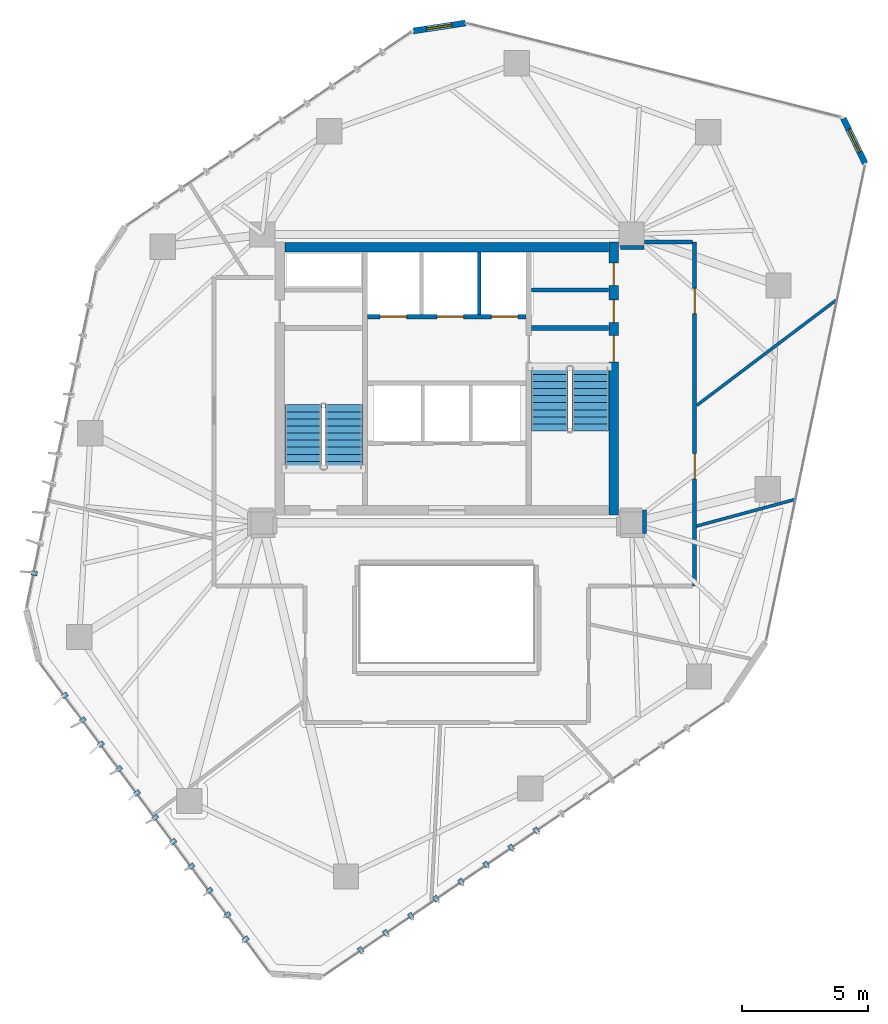
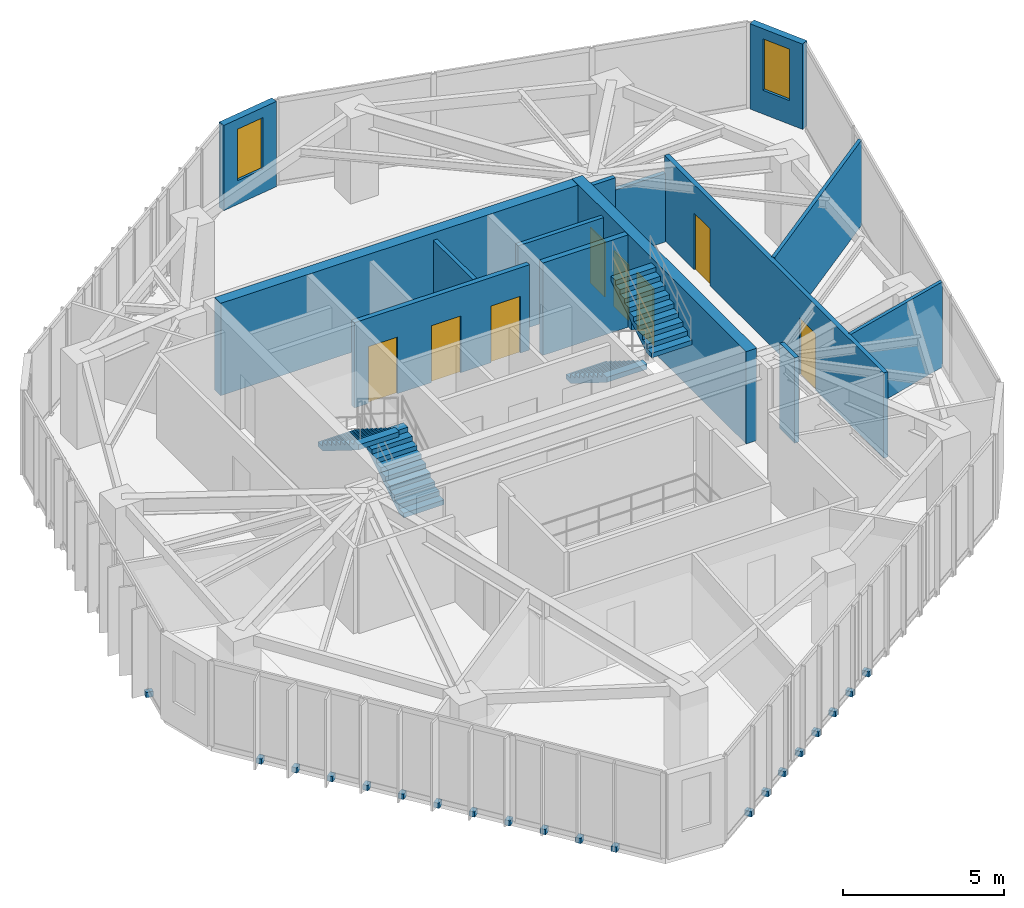
# One storey, part 17 of 20: 20 discrete accessories, 14 walls, 8 doors, 4 stair flights, 2 windows, 10 openings, 2 elements without a shape of their own.
"""IFC4 building model written with IfcOpenShell, lengths in metres."""

from ifc_helpers import new_model, si_unit, direction, frame, frame_2d, origin, origin_2d, place, context, subcontext, project, spatial, polyline, rectangle, outline, extrude, source, transform, mapped, material, layer, layer_set, type_object, type_shapes, element, fill, aggregate, save


model = new_model("IFC4")

# Units and contexts
model_context = context("Model", 3, precision=1e-05, world=origin(), true_north=direction((0.0, 1.0)))
body_context = subcontext(model_context, "Body", "Model", "MODEL_VIEW")
ifc_project = project(units=[si_unit("LENGTHUNIT", "METRE"), si_unit("AREAUNIT", "SQUARE_METRE"), si_unit("VOLUMEUNIT", "CUBIC_METRE"), si_unit("PLANEANGLEUNIT", "RADIAN"), si_unit("MASSUNIT", "GRAM", prefix="KILO")], contexts=[model_context])

# Site, building, storey
site_placement = place(None, origin())
site = spatial("IfcSite", under=ifc_project, at=site_placement, CompositionType="ELEMENT")
building_placement = place(site_placement, origin())
building = spatial("IfcBuilding", under=site, at=building_placement, Name="Talar Marvaseh", CompositionType="ELEMENT")
storey_placement = place(building_placement, frame((0.0, 0.0, 191.5)))
storey = spatial("IfcBuildingStorey", under=building, at=storey_placement, Name="L50", CompositionType="ELEMENT", Elevation=191.5)

# Wall, opening, window
ifc_material_1 = material(Name="Precast concrete C45/55", Category="concrete")
ifc_layer_1 = layer(ifc_material_1, 0.239990234375)
ifc_layer_set_1 = layer_set([ifc_layer_1], Name="Precast concrete C45/55")
wall_type_1 = type_object("IfcWallType", Name="Chamfered Hexagonal Corner Pier Wall Z3 240", PredefinedType="SOLIDWALL", material=ifc_layer_set_1)
wall_1_placement = place(storey_placement, frame((24.67431640625, 44.948974609375, 0.0), z_axis=(0.0, 0.0, 1.0), x_axis=(0.988704482243, 0.149878106449, 0.0)))
wall_1 = element("IfcWall", 1, at=wall_1_placement, inside=storey, type_object=wall_type_1, Name="L50 Chamfered Corner Limestone Pier 4", PredefinedType="SOLIDWALL", context=body_context, shape_type="SweptSolid", body=[
    extrude(rectangle(XDim=2.08837890625, YDim=0.239990234375, at=frame_2d((1.044189453125, 0.0))), origin(), (0.0, 0.0, 1.0), 3.22998046875),
])
opening_1_placement = place(wall_1_placement, frame((0.5439453125, 0.0, 0.89990234375)))
opening_1 = element("IfcOpeningElement", 2, at=opening_1_placement, cuts=wall_1, Name="Opening WN-CHM10", PredefinedType="OPENING", context=body_context, shape_type="SweptSolid", body=[
    extrude(rectangle(XDim=1.0, YDim=1.949951171875, at=frame_2d((0.5, 0.97509765625))), frame((0.0, 0.1298828125, 0.0), z_axis=(0.0, -1.0, 0.0), x_axis=(1.0, 0.0, 0.0)), (0.0, 0.0, 1.0), 0.260009765625),
])
ifc_material_2 = material(Name="Laminated Low-E Solar Glass", Category="glass")
window_type = type_object("IfcWindowType", Name="Zone 3 Chamfered Corner Slot Window 1000x1950", PartitioningType="SINGLE_PANEL", PredefinedType="WINDOW", material=ifc_material_2)
shared_shape_1 = source(origin(), body_context, "Body", "SweptSolid", [
    extrude(rectangle(XDim=1.0, YDim=1.949951171875, at=frame_2d((0.5, 0.97509765625))), frame((0.0, 0.030029296875, 0.0), z_axis=(0.0, -1.0, 0.0), x_axis=(1.0, 0.0, 0.0)), (0.0, 0.0, 1.0), 0.06005859375),
])
type_shapes(window_type, [shared_shape_1])
window_1_placement = place(opening_1_placement, origin())
window_1 = element("IfcWindow", 3, at=window_1_placement, inside=storey, type_object=window_type, Name="L50 Chamfered Corner Slot Window", OverallHeight=1.949951171875, OverallWidth=1.0, PartitioningType="SINGLE_PANEL", PredefinedType="WINDOW", context=body_context, shape_type="MappedRepresentation", body=[
    mapped(shared_shape_1, transform((0.0, 0.0, 0.0), x_axis=(1.0, 0.0, 0.0), y_axis=(0.0, 1.0, 0.0), z_axis=(0.0, 0.0, 1.0), scale=1.0)),
])
fill(opening_1, window_1)

wall_2_placement = place(storey_placement, frame((41.67919921875, 41.492919921875, 0.0), z_axis=(0.0, 0.0, 1.0), x_axis=(0.435670638997, -0.900106157248, 0.0)))
wall_2 = element("IfcWall", 4, at=wall_2_placement, inside=storey, type_object=wall_type_1, Name="L50 Chamfered Corner Limestone Pier 5", PredefinedType="SOLIDWALL", context=body_context, shape_type="SweptSolid", body=[
    extrude(rectangle(XDim=1.9775390625, YDim=0.239990234375, at=frame_2d((0.98876953125, 0.0))), origin(), (0.0, 0.0, 1.0), 3.22998046875),
])
opening_2_placement = place(wall_2_placement, frame((0.489013671875, 0.0, 0.89990234375)))
opening_2 = element("IfcOpeningElement", 5, at=opening_2_placement, cuts=wall_2, Name="Opening WN-CHM10", PredefinedType="OPENING", context=body_context, shape_type="SweptSolid", body=[
    extrude(rectangle(XDim=1.0, YDim=1.949951171875, at=frame_2d((0.5, 0.97509765625))), frame((0.0, 0.1298828125, 0.0), z_axis=(0.0, -1.0, 0.0), x_axis=(1.0, 0.0, 0.0)), (0.0, 0.0, 1.0), 0.260009765625),
])
window_2_placement = place(opening_2_placement, origin())
window_2 = element("IfcWindow", 6, at=window_2_placement, inside=storey, type_object=window_type, Name="L50 Chamfered Corner Slot Window", OverallHeight=1.949951171875, OverallWidth=1.0, PartitioningType="SINGLE_PANEL", PredefinedType="WINDOW", context=body_context, shape_type="MappedRepresentation", body=[
    mapped(shared_shape_1, transform((0.0, 0.0, 0.0), x_axis=(1.0, 0.0, 0.0), y_axis=(0.0, 1.0, 0.0), z_axis=(0.0, 0.0, 1.0), scale=1.0)),
])
fill(opening_2, window_2)

# Wall
ifc_material_3 = material(Name="Gypsum Board Partition Assembly")
ifc_layer_2 = layer(ifc_material_3, 0.155029296875)
ifc_layer_set_2 = layer_set([ifc_layer_2], Name="Gypsum Board Partition Assembly")
wall_type_2 = type_object("IfcWallType", Name="Corridor Fire-Rated Acoustic Partition 155", PredefinedType="PARTITIONING", material=ifc_layer_set_2)
wall_3_placement = place(storey_placement, frame((29.340087890625, 34.699951171875, 0.0), z_axis=(0.0, 0.0, 1.0), x_axis=(1.0, 0.0, 0.0)))
element("IfcWall", 7, at=wall_3_placement, inside=storey, type_object=wall_type_2, Name="L50 Core BOH Partition", PredefinedType="PARTITIONING", context=body_context, shape_type="SweptSolid", body=[
    extrude(rectangle(XDim=3.059814453125, YDim=0.155029296875, at=frame_2d((1.52978515625, 0.0))), origin(), (0.0, 0.0, 1.0), 3.22998046875),
])

# Wall, openings, doors
wall_4_placement = place(storey_placement, frame((35.800048828125, 36.60009765625, 0.0), z_axis=(0.0, 0.0, 1.0), x_axis=(0.0, -1.0, 0.0)))
wall_4 = element("IfcWall", 8, at=wall_4_placement, inside=storey, type_object=wall_type_2, Name="L50 Interior Partition Wall", PredefinedType="PARTITIONING", context=body_context, shape_type="SweptSolid", body=[
    extrude(rectangle(XDim=13.60009765625, YDim=0.155029296875, at=frame_2d((6.800048828125, 0.0))), origin(), (0.0, 0.0, 1.0), 3.22998046875),
])
opening_3_placement = place(wall_4_placement, frame((8.36376953125, 0.0, 0.0)))
opening_3 = element("IfcOpeningElement", 9, at=opening_3_placement, cuts=wall_4, Name="Opening DR-RM100", PredefinedType="OPENING", context=body_context, shape_type="SweptSolid", body=[
    extrude(rectangle(XDim=1.0, YDim=2.14990234375, at=frame_2d((0.5, 1.074951171875))), frame((0.0, 0.08740234375, 0.0), z_axis=(0.0, -1.0, 0.0), x_axis=(1.0, 0.0, 0.0)), (0.0, 0.0, 1.0), 0.175048828125),
])
opening_4_placement = place(wall_4_placement, frame((1.829345703125, 0.0, 0.0)))
opening_4 = element("IfcOpeningElement", 10, at=opening_4_placement, cuts=wall_4, Name="Opening DR-RM100", PredefinedType="OPENING", context=body_context, shape_type="SweptSolid", body=[
    extrude(rectangle(XDim=1.0, YDim=2.14990234375, at=frame_2d((0.5, 1.074951171875))), frame((0.0, 0.08740234375, 0.0), z_axis=(0.0, -1.0, 0.0), x_axis=(1.0, 0.0, 0.0)), (0.0, 0.0, 1.0), 0.175048828125),
])
ifc_material_4 = material(Name="Acoustic Engineered Oak Timber", Category="wood")
door_type_1 = type_object("IfcDoorType", Name="Corridor Fire-Rated Gallery Door 1000x2150", OperationType="NOTDEFINED", PredefinedType="DOOR", material=ifc_material_4)
shared_shape_2 = source(origin(), body_context, "Body", "SweptSolid", [
    extrude(rectangle(XDim=1.0, YDim=2.14990234375, at=frame_2d((0.5, 1.074951171875))), frame((0.0, 0.02490234375, 0.0), z_axis=(0.0, -1.0, 0.0), x_axis=(1.0, 0.0, 0.0)), (0.0, 0.0, 1.0), 0.050048828125),
])
type_shapes(door_type_1, [shared_shape_2])
door_1_placement = place(opening_3_placement, origin())
door_1 = element("IfcDoor", 11, at=door_1_placement, inside=storey, type_object=door_type_1, Name="L50 Registrar Mail and Post Room Door", OperationType="SINGLE_SWING_RIGHT", OverallHeight=2.14990234375, OverallWidth=1.0, PredefinedType="DOOR", context=body_context, shape_type="MappedRepresentation", body=[
    mapped(shared_shape_2, transform((0.0, 0.0, 0.0), x_axis=(1.0, 0.0, 0.0), y_axis=(0.0, 1.0, 0.0), z_axis=(0.0, 0.0, 1.0), scale=1.0)),
])
fill(opening_3, door_1)
door_2_placement = place(opening_4_placement, origin())
door_2 = element("IfcDoor", 12, at=door_2_placement, inside=storey, type_object=door_type_1, Name="L50 Conservation Briefing Room Door", OperationType="SINGLE_SWING_LEFT", OverallHeight=2.14990234375, OverallWidth=1.0, PredefinedType="DOOR", context=body_context, shape_type="MappedRepresentation", body=[
    mapped(shared_shape_2, transform((0.0, 0.0, 0.0), x_axis=(1.0, 0.0, 0.0), y_axis=(0.0, 1.0, 0.0), z_axis=(0.0, 0.0, 1.0), scale=1.0)),
])
fill(opening_4, door_2)

# Walls
wall_5_placement = place(storey_placement, frame((33.814697265625, 25.08349609375, 0.0), z_axis=(0.0, 0.0, 1.0), x_axis=(-0.004477173984, 0.999989977406, 0.0)))
element("IfcWall", 13, at=wall_5_placement, inside=storey, type_object=wall_type_2, Name="L50 Interior Partition Wall", PredefinedType="PARTITIONING", context=body_context, shape_type="SweptSolid", body=[
    extrude(rectangle(XDim=0.927001953125, YDim=0.155029296875, at=frame_2d((0.46337890625, 0.0))), origin(), (0.0, 0.0, 1.0), 3.22998046875),
])
wall_6_placement = place(storey_placement, frame((32.8701171875, 36.385009765625, 0.0), z_axis=(0.0, 0.0, 1.0), x_axis=(0.999999965754, 0.000261711585, 0.0)))
element("IfcWall", 14, at=wall_6_placement, inside=storey, type_object=wall_type_2, Name="L50 Interior Partition Wall", PredefinedType="PARTITIONING", context=body_context, shape_type="SweptSolid", body=[
    extrude(rectangle(XDim=0.932861328125, YDim=0.155029296875, at=frame_2d((0.46630859375, 0.0))), origin(), (0.0, 0.0, 1.0), 3.22998046875),
])
wall_7_placement = place(storey_placement, frame((33.81494140625, 36.60009765625, 0.0), z_axis=(0.0, 0.0, 1.0), x_axis=(1.0, 0.0, 0.0)))
element("IfcWall", 15, at=wall_7_placement, inside=storey, type_object=wall_type_2, Name="L50 Interior Partition Wall", PredefinedType="PARTITIONING", context=body_context, shape_type="SweptSolid", body=[
    extrude(rectangle(XDim=1.901611328125, YDim=0.155029296875, at=frame_2d((0.95068359375, 0.0))), origin(), (0.0, 0.0, 1.0), 2.589111328125),
])
ifc_layer_3 = layer(ifc_material_3, 0.1201171875)
ifc_layer_set_3 = layer_set([ifc_layer_3], Name="Gypsum Board Partition Assembly")
wall_type_3 = type_object("IfcWallType", Name="Demountable Studio Room Partition 120", PredefinedType="PARTITIONING", material=ifc_layer_set_3)
wall_8_placement = place(storey_placement, frame((35.86279296875, 25.366943359375, 0.0), z_axis=(0.0, 0.0, 1.0), x_axis=(0.965286044278, 0.261195047275, 0.0)))
element("IfcWall", 16, at=wall_8_placement, inside=storey, type_object=wall_type_3, Name="L50 Interior Partition Wall", PredefinedType="PARTITIONING", context=body_context, shape_type="SweptSolid", body=[
    extrude(rectangle(XDim=4.041748046875, YDim=0.1201171875, at=frame_2d((2.02099609375, 0.0))), origin(), (0.0, 0.0, 1.0), 3.22998046875),
])
wall_9_placement = place(storey_placement, frame((35.883544921875, 30.14306640625, 0.0), z_axis=(0.0, 0.0, 1.0), x_axis=(0.798034107904, 0.602612282169, 0.0)))
element("IfcWall", 17, at=wall_9_placement, inside=storey, type_object=wall_type_3, Name="L50 Interior Partition Wall", PredefinedType="PARTITIONING", context=body_context, shape_type="SweptSolid", body=[
    extrude(rectangle(XDim=6.929931640625, YDim=0.1201171875, at=frame_2d((3.46484375, 0.0))), origin(), (0.0, 0.0, 1.0), 3.22998046875),
])
ifc_layer_4 = layer(ifc_material_1, 0.14501953125)
ifc_layer_set_4 = layer_set([ifc_layer_4], Name="Precast concrete C45/55")
wall_type_4 = type_object("IfcWallType", Name="Fire-Rated Lift Divider Wall 145", PredefinedType="SOLIDWALL", material=ifc_layer_set_4)
wall_10_placement = place(storey_placement, frame((27.280029296875, 33.743408203125, 0.0), z_axis=(0.0, 0.0, 1.0), x_axis=(0.0, 1.0, 0.0)))
element("IfcWall", 18, at=wall_10_placement, inside=storey, type_object=wall_type_4, Name="L50 FFL-2/SVL-1 Divider", PredefinedType="SOLIDWALL", context=body_context, shape_type="SweptSolid", body=[
    extrude(rectangle(XDim=2.45654296875, YDim=0.14501953125, at=frame_2d((1.228271484375, 0.0))), origin(), (0.0, 0.0, 1.0), 3.22998046875),
])

# Wall, openings, doors
ifc_layer_5 = layer(ifc_material_1, 0.175048828125)
ifc_layer_set_5 = layer_set([ifc_layer_5], Name="Precast concrete C45/55")
wall_type_5 = type_object("IfcWallType", Name="Fire-Rated Lift Hoistway Enclosure Wall 175", PredefinedType="SOLIDWALL", material=ifc_layer_set_5)
wall_11_placement = place(storey_placement, frame((22.860107421875, 33.64990234375, 0.0), z_axis=(0.0, 0.0, 1.0), x_axis=(1.0, 0.0, 0.0)))
wall_11 = element("IfcWall", 19, at=wall_11_placement, inside=storey, type_object=wall_type_5, Name="L50 Firefighting and Service Lift Front Wall", PredefinedType="SOLIDWALL", context=body_context, shape_type="SweptSolid", body=[
    extrude(rectangle(XDim=6.27978515625, YDim=0.175048828125, at=frame_2d((3.139892578125, 0.0))), origin(), (0.0, 0.0, 1.0), 3.22998046875),
])
opening_5_placement = place(wall_11_placement, frame((0.5, 0.0, 0.0)))
opening_5 = element("IfcOpeningElement", 20, at=opening_5_placement, cuts=wall_11, Name="Opening LD-FF1", PredefinedType="OPENING", context=body_context, shape_type="SweptSolid", body=[
    extrude(rectangle(XDim=1.050048828125, YDim=2.14990234375, at=frame_2d((0.52490234375, 1.074951171875))), frame((0.0, 0.09765625, 0.0), z_axis=(0.0, -1.0, 0.0), x_axis=(1.0, 0.0, 0.0)), (0.0, 0.0, 1.0), 0.195068359375),
])
opening_6_placement = place(wall_11_placement, frame((2.760009765625, 0.0, 0.0)))
opening_6 = element("IfcOpeningElement", 21, at=opening_6_placement, cuts=wall_11, Name="Opening LD-FF2", PredefinedType="OPENING", context=body_context, shape_type="SweptSolid", body=[
    extrude(rectangle(XDim=1.050048828125, YDim=2.14990234375, at=frame_2d((0.52490234375, 1.074951171875))), frame((0.0, 0.09765625, 0.0), z_axis=(0.0, -1.0, 0.0), x_axis=(1.0, 0.0, 0.0)), (0.0, 0.0, 1.0), 0.195068359375),
])
opening_7_placement = place(wall_11_placement, frame((4.89990234375, 0.0, 0.0)))
opening_7 = element("IfcOpeningElement", 22, at=opening_7_placement, cuts=wall_11, Name="Opening LD-SV1", PredefinedType="OPENING", context=body_context, shape_type="SweptSolid", body=[
    extrude(rectangle(XDim=1.050048828125, YDim=2.14990234375, at=frame_2d((0.52490234375, 1.074951171875))), frame((0.0, 0.09765625, 0.0), z_axis=(0.0, -1.0, 0.0), x_axis=(1.0, 0.0, 0.0)), (0.0, 0.0, 1.0), 0.195068359375),
])
ifc_material_5 = material(Name="Stainless Steel Grade 316", Category="steel")
door_type_2 = type_object("IfcDoorType", Name="Automatic Sliding Lift Landing Door 1050x2150", OperationType="NOTDEFINED", PredefinedType="DOOR", material=ifc_material_5)
shared_shape_3 = source(origin(), body_context, "Body", "SweptSolid", [
    extrude(rectangle(XDim=1.050048828125, YDim=2.14990234375, at=frame_2d((0.52490234375, 1.074951171875))), frame((0.0, 0.02490234375, 0.0), z_axis=(0.0, -1.0, 0.0), x_axis=(1.0, 0.0, 0.0)), (0.0, 0.0, 1.0), 0.050048828125),
])
type_shapes(door_type_2, [shared_shape_3])
door_3_placement = place(opening_5_placement, origin())
door_3 = element("IfcDoor", 23, at=door_3_placement, inside=storey, type_object=door_type_2, Name="L50 Lift FFL-1 Sliding Landing Door", OperationType="SLIDING_TO_LEFT", OverallHeight=2.14990234375, OverallWidth=1.050048828125, PredefinedType="DOOR", context=body_context, shape_type="MappedRepresentation", body=[
    mapped(shared_shape_3, transform((0.0, 0.0, 0.0), x_axis=(1.0, 0.0, 0.0), y_axis=(0.0, 1.0, 0.0), z_axis=(0.0, 0.0, 1.0), scale=1.0)),
])
fill(opening_5, door_3)
door_4_placement = place(opening_6_placement, origin())
door_4 = element("IfcDoor", 24, at=door_4_placement, inside=storey, type_object=door_type_2, Name="L50 Lift FFL-2 Sliding Landing Door", OperationType="SLIDING_TO_LEFT", OverallHeight=2.14990234375, OverallWidth=1.050048828125, PredefinedType="DOOR", context=body_context, shape_type="MappedRepresentation", body=[
    mapped(shared_shape_3, transform((0.0, 0.0, 0.0), x_axis=(1.0, 0.0, 0.0), y_axis=(0.0, 1.0, 0.0), z_axis=(0.0, 0.0, 1.0), scale=1.0)),
])
fill(opening_6, door_4)
door_5_placement = place(opening_7_placement, origin())
door_5 = element("IfcDoor", 25, at=door_5_placement, inside=storey, type_object=door_type_2, Name="L50 Lift SVL-1 Sliding Landing Door", OperationType="SLIDING_TO_LEFT", OverallHeight=2.14990234375, OverallWidth=1.050048828125, PredefinedType="DOOR", context=body_context, shape_type="MappedRepresentation", body=[
    mapped(shared_shape_3, transform((0.0, 0.0, 0.0), x_axis=(1.0, 0.0, 0.0), y_axis=(0.0, 1.0, 0.0), z_axis=(0.0, 0.0, 1.0), scale=1.0)),
])
fill(opening_7, door_5)

ifc_material_6 = material(Name="Concrete C60/75", Category="concrete")
ifc_layer_6 = layer(ifc_material_6, 0.3798828125)
ifc_layer_set_6 = layer_set([ifc_layer_6], Name="Concrete C60/75")
wall_type_6 = type_object("IfcWallType", Name="Mid Core Reinforced Concrete Shear Wall 380", PredefinedType="SHEAR", material=ifc_layer_set_6)
wall_12_placement = place(storey_placement, frame((32.60009765625, 36.60009765625, 0.0), z_axis=(0.0, 0.0, 1.0), x_axis=(0.0, -1.0, 0.0)))
wall_12 = element("IfcWall", 26, at=wall_12_placement, inside=storey, type_object=wall_type_6, Name="L50 East Core Shear Wall", PredefinedType="SHEAR", context=body_context, shape_type="SweptSolid", body=[
    extrude(rectangle(XDim=10.800048828125, YDim=0.3798828125, at=frame_2d((5.39990234375, 0.0))), origin(), (0.0, 0.0, 1.0), 3.5),
])
opening_8_placement = place(wall_12_placement, frame((3.699951171875, 0.0, 0.0)))
opening_8 = element("IfcOpeningElement", 27, at=opening_8_placement, cuts=wall_12, Name="Opening DR-ST105", PredefinedType="OPENING", context=body_context, shape_type="SweptSolid", body=[
    extrude(rectangle(XDim=1.050048828125, YDim=2.14990234375, at=frame_2d((0.52490234375, 1.074951171875))), frame((0.0, 0.199951171875, 0.0), z_axis=(0.0, -1.0, 0.0), x_axis=(1.0, 0.0, 0.0)), (0.0, 0.0, 1.0), 0.39990234375),
])
opening_9_placement = place(wall_12_placement, frame((2.280029296875, 0.0, 0.0)))
opening_9 = element("IfcOpeningElement", 28, at=opening_9_placement, cuts=wall_12, Name="Opening DR-BOH090", PredefinedType="OPENING", context=body_context, shape_type="SweptSolid", body=[
    extrude(rectangle(XDim=0.89990234375, YDim=2.10009765625, at=frame_2d((0.449951171875, 1.050048828125))), frame((0.0, 0.199951171875, 0.0), z_axis=(0.0, -1.0, 0.0), x_axis=(1.0, 0.0, 0.0)), (0.0, 0.0, 1.0), 0.39990234375),
])
opening_10_placement = place(wall_12_placement, frame((0.820068359375, 0.0, 0.0)))
opening_10 = element("IfcOpeningElement", 29, at=opening_10_placement, cuts=wall_12, Name="Opening DR-BOH090", PredefinedType="OPENING", context=body_context, shape_type="SweptSolid", body=[
    extrude(rectangle(XDim=0.89990234375, YDim=2.10009765625, at=frame_2d((0.449951171875, 1.050048828125))), frame((0.0, 0.199951171875, 0.0), z_axis=(0.0, -1.0, 0.0), x_axis=(1.0, 0.0, 0.0)), (0.0, 0.0, 1.0), 0.39990234375),
])
ifc_material_7 = material(Name="Fire-Rated Steel Door Leaf", Category="steel")
door_type_3 = type_object("IfcDoorType", Name="Protected Exit Stair Fire Door 1050x2150", OperationType="NOTDEFINED", PredefinedType="DOOR", material=ifc_material_7)
shared_shape_4 = source(origin(), body_context, "Body", "SweptSolid", [
    extrude(rectangle(XDim=1.050048828125, YDim=2.14990234375, at=frame_2d((0.52490234375, 1.074951171875))), frame((0.0, 0.02490234375, 0.0), z_axis=(0.0, -1.0, 0.0), x_axis=(1.0, 0.0, 0.0)), (0.0, 0.0, 1.0), 0.050048828125),
])
type_shapes(door_type_3, [shared_shape_4])
door_6_placement = place(opening_8_placement, origin())
door_6 = element("IfcDoor", 30, at=door_6_placement, inside=storey, type_object=door_type_3, Name="L50 Stair ST-2 Corridor Exit Door", OperationType="SINGLE_SWING_LEFT", OverallHeight=2.14990234375, OverallWidth=1.050048828125, PredefinedType="DOOR", context=body_context, shape_type="MappedRepresentation", body=[
    mapped(shared_shape_4, transform((0.0, 0.0, 0.0), x_axis=(1.0, 0.0, 0.0), y_axis=(0.0, 1.0, 0.0), z_axis=(0.0, 0.0, 1.0), scale=1.0)),
])
fill(opening_8, door_6)
door_type_4 = type_object("IfcDoorType", Name="Core Back-of-House Service Door 900x2100", OperationType="NOTDEFINED", PredefinedType="DOOR", material=ifc_material_7)
shared_shape_5 = source(origin(), body_context, "Body", "SweptSolid", [
    extrude(rectangle(XDim=0.89990234375, YDim=2.10009765625, at=frame_2d((0.449951171875, 1.050048828125))), frame((0.0, 0.02490234375, 0.0), z_axis=(0.0, -1.0, 0.0), x_axis=(1.0, 0.0, 0.0)), (0.0, 0.0, 1.0), 0.050048828125),
])
type_shapes(door_type_4, [shared_shape_5])
door_7_placement = place(opening_9_placement, origin())
door_7 = element("IfcDoor", 31, at=door_7_placement, inside=storey, type_object=door_type_4, Name="L50 Cleaner Core East Closet Door", OperationType="SINGLE_SWING_LEFT", OverallHeight=2.10009765625, OverallWidth=0.89990234375, PredefinedType="DOOR", context=body_context, shape_type="MappedRepresentation", body=[
    mapped(shared_shape_5, transform((0.0, 0.0, 0.0), x_axis=(1.0, 0.0, 0.0), y_axis=(0.0, 1.0, 0.0), z_axis=(0.0, 0.0, 1.0), scale=1.0)),
])
fill(opening_9, door_7)
door_8_placement = place(opening_10_placement, origin())
door_8 = element("IfcDoor", 32, at=door_8_placement, inside=storey, type_object=door_type_4, Name="L50 Store Core Supplies Room Door", OperationType="SINGLE_SWING_RIGHT", OverallHeight=2.10009765625, OverallWidth=0.89990234375, PredefinedType="DOOR", context=body_context, shape_type="MappedRepresentation", body=[
    mapped(shared_shape_5, transform((0.0, 0.0, 0.0), x_axis=(1.0, 0.0, 0.0), y_axis=(0.0, 1.0, 0.0), z_axis=(0.0, 0.0, 1.0), scale=1.0)),
])
fill(opening_10, door_8)

# Walls
wall_13_placement = place(storey_placement, frame((19.60009765625, 36.39990234375, 0.0), z_axis=(0.0, 0.0, 1.0), x_axis=(1.0, 0.0, 0.0)))
element("IfcWall", 33, at=wall_13_placement, inside=storey, type_object=wall_type_6, Name="L50 North Core Shear Wall", PredefinedType="SHEAR", context=body_context, shape_type="SweptSolid", body=[
    extrude(rectangle(XDim=12.7998046875, YDim=0.3798828125, at=frame_2d((6.39990234375, 0.0))), origin(), (0.0, 0.0, 1.0), 3.5),
])
ifc_material_8 = material(Name="Concrete C50/60", Category="concrete")
ifc_layer_7 = layer(ifc_material_8, 0.199951171875)
ifc_layer_set_7 = layer_set([ifc_layer_7], Name="Concrete C50/60")
wall_type_7 = type_object("IfcWallType", Name="Stair Shaft Structural Concrete Shear Wall 200", PredefinedType="SHEAR", material=ifc_layer_set_7)
wall_14_placement = place(storey_placement, frame((29.340087890625, 33.199951171875, 0.0), z_axis=(0.0, 0.0, 1.0), x_axis=(1.0, 0.0, 0.0)))
element("IfcWall", 34, at=wall_14_placement, inside=storey, type_object=wall_type_7, Name="L50 Stair ST-2 North Shear Wall", PredefinedType="SHEAR", context=body_context, shape_type="SweptSolid", body=[
    extrude(rectangle(XDim=3.059814453125, YDim=0.199951171875, at=frame_2d((1.52978515625, 0.0))), origin(), (0.0, 0.0, 1.0), 3.5),
])

# Stair, stair flights
ifc_material_9 = material(Name="Concrete C40/50", Category="concrete")
stair_type = type_object("IfcStairType", Name="Reinforced Concrete High-Rise Exit Stair Type C", PredefinedType="HALF_TURN_STAIR", material=ifc_material_9)
stair_1_placement = place(storey_placement, origin())
stair_1 = element("IfcStair", 35, at=stair_1_placement, inside=storey, type_object=stair_type, Name="L50 Tower West Core Exit Stair", PredefinedType="HALF_TURN_STAIR")
ifc_layer_8 = layer(ifc_material_9, 0.159912109375)
ifc_layer_set_8 = layer_set([ifc_layer_8], Name="Concrete C40/50")
stair_flight_type = type_object("IfcStairFlightType", Name="Reinforced Concrete Straight Stair Flight 160", PredefinedType="STRAIGHT", material=ifc_layer_set_8)
stair_flight_1_placement = place(storey_placement, frame((21.93505859375, 27.64990234375, 0.0), z_axis=(0.0, 0.0, 1.0), x_axis=(0.0, 1.0, 0.0)))
stair_flight_1 = element("IfcStairFlight", 36, at=stair_flight_1_placement, type_object=stair_flight_type, Name="ST-1 flight 1", NumberOfRisers=10, NumberOfTreads=9, PredefinedType="STRAIGHT", RiserHeight=0.175, TreadLength=0.28, context=body_context, shape_type="SweptSolid", body=[
    extrude(outline(polyline([(0.0, 0.0), (0.0, 0.175048828125), (0.280029296875, 0.175048828125), (0.280029296875, 0.35009765625), (0.56005859375, 0.35009765625), (0.56005859375, 0.52490234375), (0.840087890625, 0.52490234375), (0.840087890625, 0.699951171875), (1.1201171875, 0.699951171875), (1.1201171875, 0.875), (1.39990234375, 0.875), (1.39990234375, 1.050048828125), (1.679931640625, 1.050048828125), (1.679931640625, 1.22509765625), (1.9599609375, 1.22509765625), (1.9599609375, 1.39990234375), (2.239990234375, 1.39990234375), (2.239990234375, 1.574951171875), (2.52001953125, 1.574951171875), (2.52001953125, 1.75), (2.52001953125, 1.386474609375), (0.3017578125, 0.0), (0.0, 0.0)])), frame((0.0, 0.72509765625, 0.0), z_axis=(0.0, -1.0, 0.0), x_axis=(1.0, 0.0, 0.0)), (0.0, 0.0, 1.0), 1.449951171875),
])
stair_flight_2_placement = place(storey_placement, frame((20.324951171875, 30.169921875, 1.75), z_axis=(0.0, 0.0, 1.0), x_axis=(0.0, -1.0, 0.0)))
stair_flight_2 = element("IfcStairFlight", 37, at=stair_flight_2_placement, type_object=stair_flight_type, Name="ST-1 flight 2", NumberOfRisers=10, NumberOfTreads=9, PredefinedType="STRAIGHT", RiserHeight=0.175, TreadLength=0.28, context=body_context, shape_type="SweptSolid", body=[
    extrude(outline(polyline([(0.0, 0.0), (0.0, 0.175048828125), (0.280029296875, 0.175048828125), (0.280029296875, 0.35009765625), (0.56005859375, 0.35009765625), (0.56005859375, 0.52490234375), (0.840087890625, 0.52490234375), (0.840087890625, 0.699951171875), (1.1201171875, 0.699951171875), (1.1201171875, 0.875), (1.39990234375, 0.875), (1.39990234375, 1.050048828125), (1.679931640625, 1.050048828125), (1.679931640625, 1.22509765625), (1.9599609375, 1.22509765625), (1.9599609375, 1.39990234375), (2.239990234375, 1.39990234375), (2.239990234375, 1.574951171875), (2.52001953125, 1.574951171875), (2.52001953125, 1.75), (2.52001953125, 1.386474609375), (0.3017578125, 0.0), (0.0, 0.0)])), frame((0.0, 0.72509765625, 0.0), z_axis=(0.0, -1.0, 0.0), x_axis=(1.0, 0.0, 0.0)), (0.0, 0.0, 1.0), 1.449951171875),
])
aggregate(stair_1, [stair_flight_1, stair_flight_2])

stair_2_placement = place(storey_placement, origin())
stair_2 = element("IfcStair", 38, at=stair_2_placement, inside=storey, type_object=stair_type, Name="L50 Tower East Core Exit Stair", PredefinedType="HALF_TURN_STAIR")
stair_flight_3_placement = place(storey_placement, frame((30.06494140625, 31.64990234375, 0.0), z_axis=(0.0, 0.0, 1.0), x_axis=(0.0, -1.0, 0.0)))
stair_flight_3 = element("IfcStairFlight", 39, at=stair_flight_3_placement, type_object=stair_flight_type, Name="ST-2 flight 1", NumberOfRisers=10, NumberOfTreads=9, PredefinedType="STRAIGHT", RiserHeight=0.175, TreadLength=0.28, context=body_context, shape_type="SweptSolid", body=[
    extrude(outline(polyline([(0.0, 0.0), (0.0, 0.175048828125), (0.280029296875, 0.175048828125), (0.280029296875, 0.35009765625), (0.56005859375, 0.35009765625), (0.56005859375, 0.52490234375), (0.840087890625, 0.52490234375), (0.840087890625, 0.699951171875), (1.1201171875, 0.699951171875), (1.1201171875, 0.875), (1.39990234375, 0.875), (1.39990234375, 1.050048828125), (1.679931640625, 1.050048828125), (1.679931640625, 1.22509765625), (1.9599609375, 1.22509765625), (1.9599609375, 1.39990234375), (2.239990234375, 1.39990234375), (2.239990234375, 1.574951171875), (2.52001953125, 1.574951171875), (2.52001953125, 1.75), (2.52001953125, 1.386474609375), (0.3017578125, 0.0), (0.0, 0.0)])), frame((0.0, 0.72509765625, 0.0), z_axis=(0.0, -1.0, 0.0), x_axis=(1.0, 0.0, 0.0)), (0.0, 0.0, 1.0), 1.449951171875),
])
stair_flight_4_placement = place(storey_placement, frame((31.675048828125, 29.1298828125, 1.75), z_axis=(0.0, 0.0, 1.0), x_axis=(0.0, 1.0, 0.0)))
stair_flight_4 = element("IfcStairFlight", 40, at=stair_flight_4_placement, type_object=stair_flight_type, Name="ST-2 flight 2", NumberOfRisers=10, NumberOfTreads=9, PredefinedType="STRAIGHT", RiserHeight=0.175, TreadLength=0.28, context=body_context, shape_type="SweptSolid", body=[
    extrude(outline(polyline([(0.0, 0.0), (0.0, 0.175048828125), (0.280029296875, 0.175048828125), (0.280029296875, 0.35009765625), (0.56005859375, 0.35009765625), (0.56005859375, 0.52490234375), (0.840087890625, 0.52490234375), (0.840087890625, 0.699951171875), (1.1201171875, 0.699951171875), (1.1201171875, 0.875), (1.39990234375, 0.875), (1.39990234375, 1.050048828125), (1.679931640625, 1.050048828125), (1.679931640625, 1.22509765625), (1.9599609375, 1.22509765625), (1.9599609375, 1.39990234375), (2.239990234375, 1.39990234375), (2.239990234375, 1.574951171875), (2.52001953125, 1.574951171875), (2.52001953125, 1.75), (2.52001953125, 1.386474609375), (0.3017578125, 0.0), (0.0, 0.0)])), frame((0.0, 0.72509765625, 0.0), z_axis=(0.0, -1.0, 0.0), x_axis=(1.0, 0.0, 0.0)), (0.0, 0.0, 1.0), 1.449951171875),
])
aggregate(stair_2, [stair_flight_3, stair_flight_4])

# Discrete accessories
discrete_accessory_type = type_object("IfcDiscreteAccessoryType", Name="Stainless Slab-Edge Fin Mounting Bracket", PredefinedType="BRACKET", material=ifc_material_5)
shared_shape_6 = source(origin(), body_context, "Body", "SweptSolid", [
    extrude(rectangle(XDim=0.239990234375, YDim=0.179931640625, at=origin_2d()), origin(), (0.0, 0.0, 1.0), 0.199951171875),
])
type_shapes(discrete_accessory_type, [shared_shape_6])
for number, where, z_axis, x_axis, name in (
    (41, (18.04833984375, 9.035888671875, -0.18017578125), (0.0, 0.0, 1.0), (-0.802817475191, -0.596224874966, 0.0), "L50 Vertical Fin Slab-Edge Bracket"),
    (42, (17.3330078125, 9.999267578125, -0.18017578125), (0.0, 0.0, 1.0), (-0.802817475191, -0.596224874966, 0.0), "L50 Vertical Fin Slab-Edge Bracket"),
    (43, (16.61767578125, 10.962646484375, -0.18017578125), (0.0, 0.0, 1.0), (-0.802817475191, -0.596224874966, 0.0), "L50 Vertical Fin Slab-Edge Bracket"),
    (44, (15.902099609375, 11.926025390625, -0.18017578125), (0.0, 0.0, 1.0), (-0.802817475191, -0.596224874966, 0.0), "L50 Vertical Fin Slab-Edge Bracket"),
    (45, (15.186767578125, 12.889404296875, -0.18017578125), (0.0, 0.0, 1.0), (-0.802817475191, -0.596224874966, 0.0), "L50 Vertical Fin Slab-Edge Bracket"),
    (46, (14.47119140625, 13.85302734375, -0.18017578125), (0.0, 0.0, 1.0), (-0.802817475191, -0.596224874966, 0.0), "L50 Vertical Fin Slab-Edge Bracket"),
    (47, (13.755859375, 14.81640625, -0.18017578125), (0.0, 0.0, 1.0), (-0.802817475191, -0.596224874966, 0.0), "L50 Vertical Fin Slab-Edge Bracket"),
    (48, (13.04052734375, 15.77978515625, -0.18017578125), (0.0, 0.0, 1.0), (-0.802817475191, -0.596224874966, 0.0), "L50 Vertical Fin Slab-Edge Bracket"),
    (49, (12.3251953125, 16.7431640625, -0.18017578125), (0.0, 0.0, 1.0), (-0.802817475191, -0.596224874966, 0.0), "L50 Vertical Fin Slab-Edge Bracket"),
    (50, (11.609619140625, 17.706787109375, -0.18017578125), (0.0, 0.0, 1.0), (-0.802817475191, -0.596224874966, 0.0), "L50 Vertical Fin Slab-Edge Bracket"),
    (51, (10.894287109375, 18.670166015625, -0.18017578125), (0.0, 0.0, 1.0), (-0.802817475191, -0.596224874966, 0.0), "L50 Vertical Fin Slab-Edge Bracket"),
    (52, (9.687744140625, 23.505615234375, -0.18017578125), (0.0, 0.0, 1.0), (-0.979293537082, 0.202445469766, 0.0), "L50 Vertical Fin Slab-Edge Bracket"),
    (53, (29.53955078125, 13.338134765625, -0.18017578125), (0.0, 0.0, 1.0), (0.562949186249, -0.826491508548, 0.0), "L50 Vertical Fin Slab-Edge Bracket"),
    (54, (28.547607421875, 12.66259765625, -0.18017578125), (0.0, 0.0, 1.0), (0.562949186249, -0.826491508548, 0.0), "L50 Vertical Fin Slab-Edge Bracket"),
    (55, (27.555908203125, 11.9873046875, -0.18017578125), (0.0, 0.0, 1.0), (0.562949186249, -0.826491508548, 0.0), "L50 Vertical Fin Slab-Edge Bracket"),
    (56, (26.564208984375, 11.311767578125, -0.18017578125), (0.0, 0.0, 1.0), (0.562949186249, -0.826491508548, 0.0), "L50 Vertical Fin Slab-Edge Bracket"),
    (57, (25.572265625, 10.63623046875, -0.18017578125), (0.0, 0.0, 1.0), (0.562949186249, -0.826491508548, 0.0), "L50 Vertical Fin Slab-Edge Bracket"),
    (58, (24.580322265625, 9.960693359375, -0.18017578125), (0.0, 0.0, 1.0), (0.562949186249, -0.826491508548, 0.0), "L50 Vertical Fin Slab-Edge Bracket"),
    (59, (23.588623046875, 9.28515625, -0.18017578125), (0.0, 0.0, 1.0), (0.562949186249, -0.826491508548, 0.0), "L50 Vertical Fin Slab-Edge Bracket"),
    (60, (22.5966796875, 8.609619140625, -0.18017578125), (0.0, 0.0, 1.0), (0.562949186249, -0.826491508548, 0.0), "L50 Vertical Fin Slab-Edge Bracket"),
):
    element("IfcDiscreteAccessory", number, at=place(storey_placement, frame(where, z_axis=z_axis, x_axis=x_axis)), inside=storey, type_object=discrete_accessory_type, Name=name, PredefinedType="BRACKET", context=body_context, shape_type="MappedRepresentation", body=[
        mapped(shared_shape_6, transform((0.0, 0.0, 0.0), x_axis=(1.0, 0.0, 0.0), y_axis=(0.0, 1.0, 0.0), z_axis=(0.0, 0.0, 1.0), scale=1.0)),
    ])

save(model, "model.ifc")
